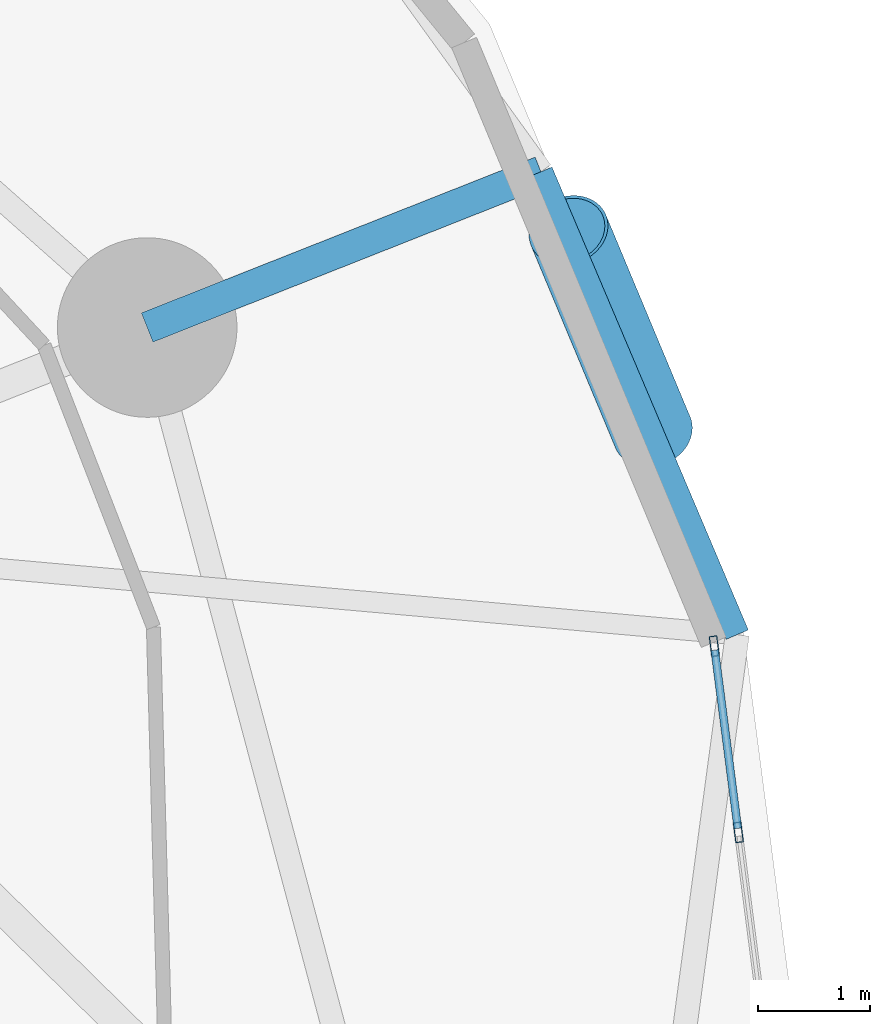
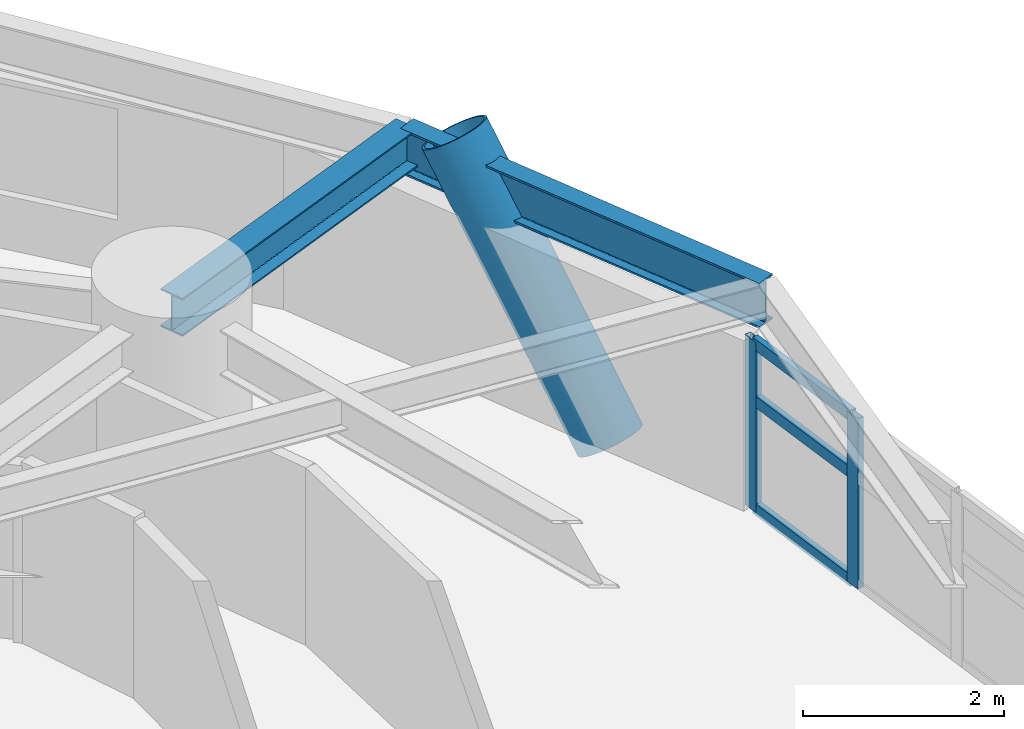
# One storey, part 4 of 17: 6 members, 2 beams, 1 element without a shape of its own.
"""IFC4 building model written with IfcOpenShell, lengths in metres."""

from ifc_helpers import new_model, si_unit, direction, frame, origin, origin_2d, place, context, subcontext, project, spatial, hollow_rectangle, hollow_circle, i_section, extrude, material, layer, layer_set, material_profile, profile_set, type_object, element, aggregate, save


model = new_model("IFC4")

# Units and contexts
model_context = context("Model", 3, precision=1e-05, world=origin(), true_north=direction((0.0, 1.0)))
body_context = subcontext(model_context, "Body", "Model", "MODEL_VIEW")
ifc_project = project(units=[si_unit("LENGTHUNIT", "METRE"), si_unit("AREAUNIT", "SQUARE_METRE"), si_unit("VOLUMEUNIT", "CUBIC_METRE"), si_unit("PLANEANGLEUNIT", "RADIAN"), si_unit("MASSUNIT", "GRAM", prefix="KILO")], contexts=[model_context])

# Site, building, storey
site_placement = place(None, origin())
site = spatial("IfcSite", under=ifc_project, at=site_placement, CompositionType="ELEMENT")
building_placement = place(site_placement, origin())
building = spatial("IfcBuilding", under=site, at=building_placement, Name="Cununo Teusaquillo Station Towers", CompositionType="ELEMENT")
storey_placement = place(building_placement, frame((0.0, 0.0, 59.830078125)))
storey = spatial("IfcBuildingStorey", under=building, at=storey_placement, Name="L18", CompositionType="ELEMENT", Elevation=59.830078125)

# Beams
ifc_material_1 = material(Name="Steel ASTM A572 Grade 50", Category="steel")
ifc_material_profile_1 = material_profile(ifc_material_1, i_section(OverallWidth=0.280029296875, OverallDepth=0.462890625, WebThickness=0.0107421875, FlangeThickness=0.017333984375, FilletRadius=0.013916015625, at=origin_2d()), Name="W18X76")
ifc_profile_set_1 = profile_set([ifc_material_profile_1], Name="Steel ASTM A572 Grade 50")
beam_type_1 = type_object("IfcBeamType", Name="BM-RAD-G1", PredefinedType="BEAM", material=ifc_profile_set_1)
beam_1_placement = place(storey_placement, frame((26.347412109375, 33.228515625, 2.41845703125), z_axis=(0.929871177563, 0.367885298888, 0.0), x_axis=(-0.367885298888, 0.929871177563, 0.0)))
element("IfcBeam", 1, at=beam_1_placement, inside=storey, type_object=beam_type_1, Name="L18 Tower A Perimeter Overhang Girder 02B", PredefinedType="BEAM", context=body_context, shape_type="SweptSolid", body=[
    extrude(i_section(OverallWidth=0.280029296875, OverallDepth=0.462890625, WebThickness=0.0107421875, FlangeThickness=0.017333984375, FilletRadius=0.013916015625, at=origin_2d()), origin(), (0.0, 0.0, 1.0), 3.7734375),
])
ifc_material_2 = material(Name="Steel ASTM A572 Grade 50", Category="steel")
ifc_material_profile_2 = material_profile(ifc_material_2, i_section(OverallWidth=0.214111328125, OverallDepth=0.549072265625, WebThickness=0.0146484375, FlangeThickness=0.023681640625, FilletRadius=0.014892578125, at=origin_2d()), Name="W21X93")
ifc_profile_set_2 = profile_set([ifc_material_profile_2], Name="Steel ASTM A572 Grade 50")
beam_type_2 = type_object("IfcBeamType", Name="BM-RING-Z1", PredefinedType="SPANDREL", material=ifc_profile_set_2)
beam_2_placement = place(storey_placement, frame((31.605712890625, 30.49169921875, 2.37548828125), z_axis=(-0.390457491743, 0.920620957366, 0.0), x_axis=(-0.920620957366, -0.390457491743, 0.0)))
element("IfcBeam", 2, at=beam_2_placement, inside=storey, type_object=beam_type_2, Name="L18 Tower A Spandrel Ring Beam 02", PredefinedType="SPANDREL", context=body_context, shape_type="SweptSolid", body=[
    extrude(i_section(OverallWidth=0.214111328125, OverallDepth=0.549072265625, WebThickness=0.0146484375, FlangeThickness=0.023681640625, FilletRadius=0.014892578125, at=origin_2d()), origin(), (0.0, 0.0, 1.0), 4.480712890625),
])

# Curtain wall, members
ifc_material_3 = material(Name="Operable acoustic tinted low-E double glazing", Category="glass")
ifc_layer = layer(ifc_material_3, 0.179931640625)
ifc_layer_set = layer_set([ifc_layer], Name="Operable acoustic tinted low-E double glazing")
curtain_wall_type = type_object("IfcCurtainWallType", Name="CW-SYS-03", PredefinedType="USERDEFINED", material=ifc_layer_set)
curtain_wall_placement = place(storey_placement, origin())
curtain_wall = element("IfcCurtainWall", 3, at=curtain_wall_placement, inside=storey, type_object=curtain_wall_type, Name="L18 Tower A Facade Curtain Wall C00", ObjectType="OPERABLE GLAZING", PredefinedType="USERDEFINED")
ifc_material_4 = material(Name="Anodised dark bronze aluminium EN AW-6063-T6", Category="aluminium")
ifc_material_profile_3 = material_profile(ifc_material_4, hollow_rectangle(XDim=0.070068359375, YDim=0.179931640625, WallThickness=0.00390625, at=origin_2d()), Name="CW-MULL-70x180")
ifc_profile_set_3 = profile_set([ifc_material_profile_3], Name="Anodised dark bronze aluminium EN AW-6063-T6")
member_type_1 = type_object("IfcMemberType", Name="CWM-180", PredefinedType="MULLION", material=ifc_profile_set_3)
member_1_placement = place(storey_placement, frame((31.40087890625, 30.38916015625, 0.0), z_axis=(0.0, 0.0, 1.0), x_axis=(0.99173073067, 0.128336112783, 0.0)))
member_1 = element("IfcMember", 4, at=member_1_placement, type_object=member_type_1, Name="CW-03 mullion 1", PredefinedType="MULLION", context=body_context, shape_type="SweptSolid", body=[
    extrude(hollow_rectangle(XDim=0.070068359375, YDim=0.179931640625, WallThickness=0.00390625, at=origin_2d()), origin(), (0.0, 0.0, 1.0), 2.072998046875),
])
member_2_placement = place(storey_placement, frame((31.615478515625, 28.730224609375, 0.0), z_axis=(0.0, 0.0, 1.0), x_axis=(0.99173073067, 0.128336112783, 0.0)))
member_2 = element("IfcMember", 5, at=member_2_placement, type_object=member_type_1, Name="CW-03 mullion 2", PredefinedType="MULLION", context=body_context, shape_type="SweptSolid", body=[
    extrude(hollow_rectangle(XDim=0.070068359375, YDim=0.179931640625, WallThickness=0.00390625, at=origin_2d()), origin(), (0.0, 0.0, 1.0), 2.072998046875),
])
ifc_material_5 = material(Name="Anodised dark bronze aluminium EN AW-6063-T6", Category="aluminium")
ifc_material_profile_4 = material_profile(ifc_material_5, hollow_rectangle(XDim=0.070068359375, YDim=0.139892578125, WallThickness=0.00390625, at=origin_2d()), Name="CW-TRAN-70x140")
ifc_profile_set_4 = profile_set([ifc_material_profile_4], Name="Anodised dark bronze aluminium EN AW-6063-T6")
member_type_2 = type_object("IfcMemberType", Name="CWT-140", PredefinedType="USERDEFINED", material=ifc_profile_set_4)
member_3_placement = place(storey_placement, frame((31.4052734375, 30.3544921875, 0.034912109375), z_axis=(0.128401455372, -0.991722272745, 0.0), x_axis=(0.991722272745, 0.128401455372, 0.0)))
member_3 = element("IfcMember", 6, at=member_3_placement, type_object=member_type_2, Name="CW-03 transom 1.1", ObjectType="TRANSOM", PredefinedType="USERDEFINED", context=body_context, shape_type="SweptSolid", body=[
    extrude(hollow_rectangle(XDim=0.070068359375, YDim=0.139892578125, WallThickness=0.00390625, at=origin_2d()), origin(), (0.0, 0.0, 1.0), 1.602783203125),
])
member_4_placement = place(storey_placement, frame((31.4052734375, 30.3544921875, 1.346923828125), z_axis=(0.128401455372, -0.991722272745, 0.0), x_axis=(0.991722272745, 0.128401455372, 0.0)))
member_4 = element("IfcMember", 7, at=member_4_placement, type_object=member_type_2, Name="CW-03 transom 1.2", ObjectType="TRANSOM", PredefinedType="USERDEFINED", context=body_context, shape_type="SweptSolid", body=[
    extrude(hollow_rectangle(XDim=0.070068359375, YDim=0.139892578125, WallThickness=0.00390625, at=origin_2d()), origin(), (0.0, 0.0, 1.0), 1.602783203125),
])
member_5_placement = place(storey_placement, frame((31.4052734375, 30.3544921875, 2.037841796875), z_axis=(0.128401455372, -0.991722272745, 0.0), x_axis=(0.991722272745, 0.128401455372, 0.0)))
member_5 = element("IfcMember", 8, at=member_5_placement, type_object=member_type_2, Name="CW-03 transom 1.3", ObjectType="TRANSOM", PredefinedType="USERDEFINED", context=body_context, shape_type="SweptSolid", body=[
    extrude(hollow_rectangle(XDim=0.070068359375, YDim=0.139892578125, WallThickness=0.00390625, at=origin_2d()), origin(), (0.0, 0.0, 1.0), 1.602783203125),
])
aggregate(curtain_wall, [member_1, member_2, member_3, member_4, member_5])

# Member
ifc_material_6 = material(Name="Steel EN 10025-2 S355J2", Category="steel")
ifc_material_profile_5 = material_profile(ifc_material_6, hollow_circle(Radius=0.360107421875, WallThickness=0.028076171875, at=origin_2d()), Name="CHS 720x28")
ifc_profile_set_5 = profile_set([ifc_material_profile_5], Name="Steel EN 10025-2 S355J2")
member_type_3 = type_object("IfcMemberType", Name="MBR-DIAG-Z1", PredefinedType="BRACE", material=ifc_profile_set_5)
member_6_placement = place(storey_placement, frame((30.853515625, 32.293701171875, -0.14013671875), z_axis=(-0.214574395083, 0.514142544064, 0.830430775777), x_axis=(-0.92285479051, -0.385148069752, 0.0)))
element("IfcMember", 9, at=member_6_placement, inside=storey, type_object=member_type_3, Name="L18 Tower A Folded-Zigzag Diagrid Tube C01", PredefinedType="BRACE", context=body_context, shape_type="SweptSolid", body=[
    extrude(hollow_circle(Radius=0.360107421875, WallThickness=0.028076171875, at=origin_2d()), origin(), (0.0, 0.0, 1.0), 3.50439453125),
])

save(model, "model.ifc")
